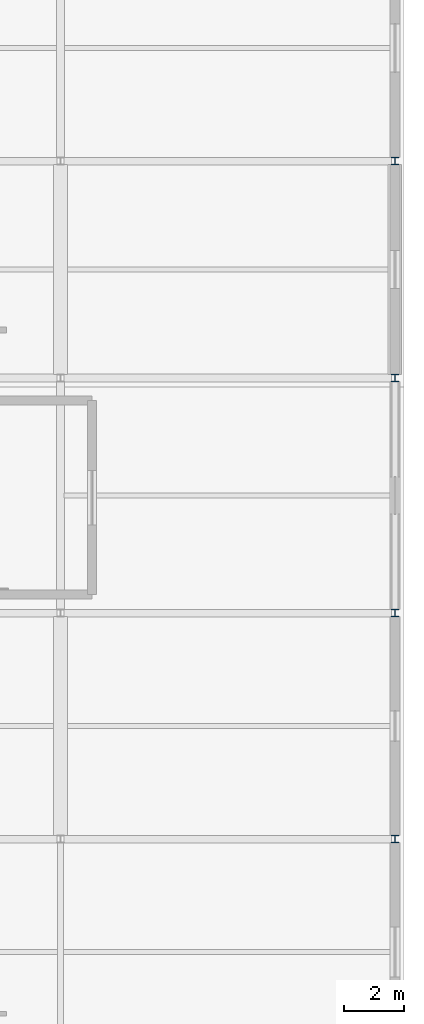
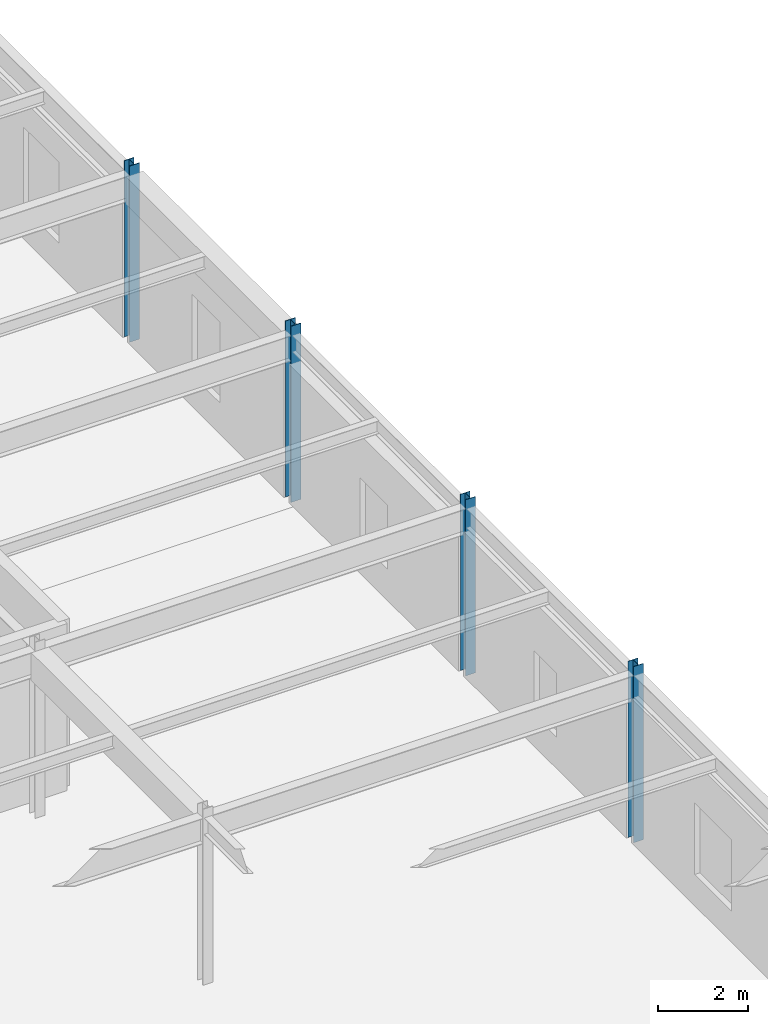
# One storey, part 27 of 144: 4 columns.
"""IFC4 building model written with IfcOpenShell, lengths in metres."""

from ifc_helpers import new_model, si_unit, direction, frame, origin, origin_2d, place, context, subcontext, project, spatial, i_section, extrude, material, material_profile, profile_set, type_object, element, save


model = new_model("IFC4")

# Units and contexts
model_context = context("Model", 3, precision=1e-05, world=origin(), true_north=direction((0.0, 1.0)))
body_context = subcontext(model_context, "Body", "Model", "MODEL_VIEW")
ifc_project = project(units=[si_unit("LENGTHUNIT", "METRE"), si_unit("AREAUNIT", "SQUARE_METRE"), si_unit("VOLUMEUNIT", "CUBIC_METRE"), si_unit("PLANEANGLEUNIT", "RADIAN"), si_unit("MASSUNIT", "GRAM", prefix="KILO")], contexts=[model_context])

# Site, building, storey
site_placement = place(None, origin())
site = spatial("IfcSite", under=ifc_project, at=site_placement, CompositionType="ELEMENT")
building_placement = place(site_placement, origin())
building = spatial("IfcBuilding", under=site, at=building_placement, Name="Cinderbank Siding Concert Hall", CompositionType="ELEMENT")
storey_placement = place(building_placement, frame((0.0, 0.0, 5.39990234375)))
storey = spatial("IfcBuildingStorey", under=building, at=storey_placement, Name="L02", CompositionType="ELEMENT", Elevation=5.39990234375)

# Columns
ifc_material = material(Name="Structural steel AS/NZS 3679.1 Grade 350 (340 MPa)", Category="steel")
ifc_material_profile_1 = material_profile(ifc_material, i_section(OverallWidth=0.25390625, OverallDepth=0.25390625, WebThickness=0.008544921875, FlangeThickness=0.01416015625, at=origin_2d()), Name="250UC72.9", Category="LoadBearing")
ifc_profile_set_1 = profile_set([ifc_material_profile_1], Name="Structural steel AS/NZS 3679.1 Grade 350 (340 MPa)")
column_type_1 = type_object("IfcColumnType", Name="C-UC250 250UC72.9", PredefinedType="COLUMN", material=ifc_profile_set_1)
for number, where, z_axis, x_axis, name in (
    (1, (172.89990234375, 73.300048828125, 0.0), (0.0, 0.0, 1.0), (1.0, 0.0, 0.0), "L02 Column COL-EL-3-2"),
    (2, (172.89990234375, 80.800048828125, 0.0), (0.0, 0.0, 1.0), (1.0, 0.0, 0.0), "L02 Column COL-EL-3-3"),
):
    element("IfcColumn", number, at=place(storey_placement, frame(where, z_axis=z_axis, x_axis=x_axis)), inside=storey, type_object=column_type_1, Name=name, PredefinedType="COLUMN", context=body_context, shape_type="SweptSolid", body=[
        extrude(i_section(OverallWidth=0.25390625, OverallDepth=0.25390625, WebThickness=0.008544921875, FlangeThickness=0.01416015625, at=origin_2d()), origin(), (0.0, 0.0, 1.0), 4.800048828125),
    ])
ifc_material_profile_2 = material_profile(ifc_material, i_section(OverallWidth=0.256103515625, OverallDepth=0.260009765625, WebThickness=0.010498046875, FlangeThickness=0.017333984375, at=origin_2d()), Name="250UC89.5", Category="LoadBearing")
ifc_profile_set_2 = profile_set([ifc_material_profile_2], Name="Structural steel AS/NZS 3679.1 Grade 350 (340 MPa)")
column_type_2 = type_object("IfcColumnType", Name="C-UC250H 250UC89.5", PredefinedType="COLUMN", material=ifc_profile_set_2)
for number, where, z_axis, x_axis, name in (
    (3, (172.89990234375, 88.60009765625, 0.0), (0.0, 0.0, 1.0), (1.0, 0.0, 0.0), "L02 Column COL-V3-6-1"),
    (4, (172.89990234375, 95.800048828125, 0.0), (0.0, 0.0, 1.0), (1.0, 0.0, 0.0), "L02 Column COL-V3-6-2"),
):
    element("IfcColumn", number, at=place(storey_placement, frame(where, z_axis=z_axis, x_axis=x_axis)), inside=storey, type_object=column_type_2, Name=name, PredefinedType="COLUMN", context=body_context, shape_type="SweptSolid", body=[
        extrude(i_section(OverallWidth=0.256103515625, OverallDepth=0.260009765625, WebThickness=0.010498046875, FlangeThickness=0.017333984375, at=origin_2d()), origin(), (0.0, 0.0, 1.0), 4.800048828125),
    ])

save(model, "model.ifc")
